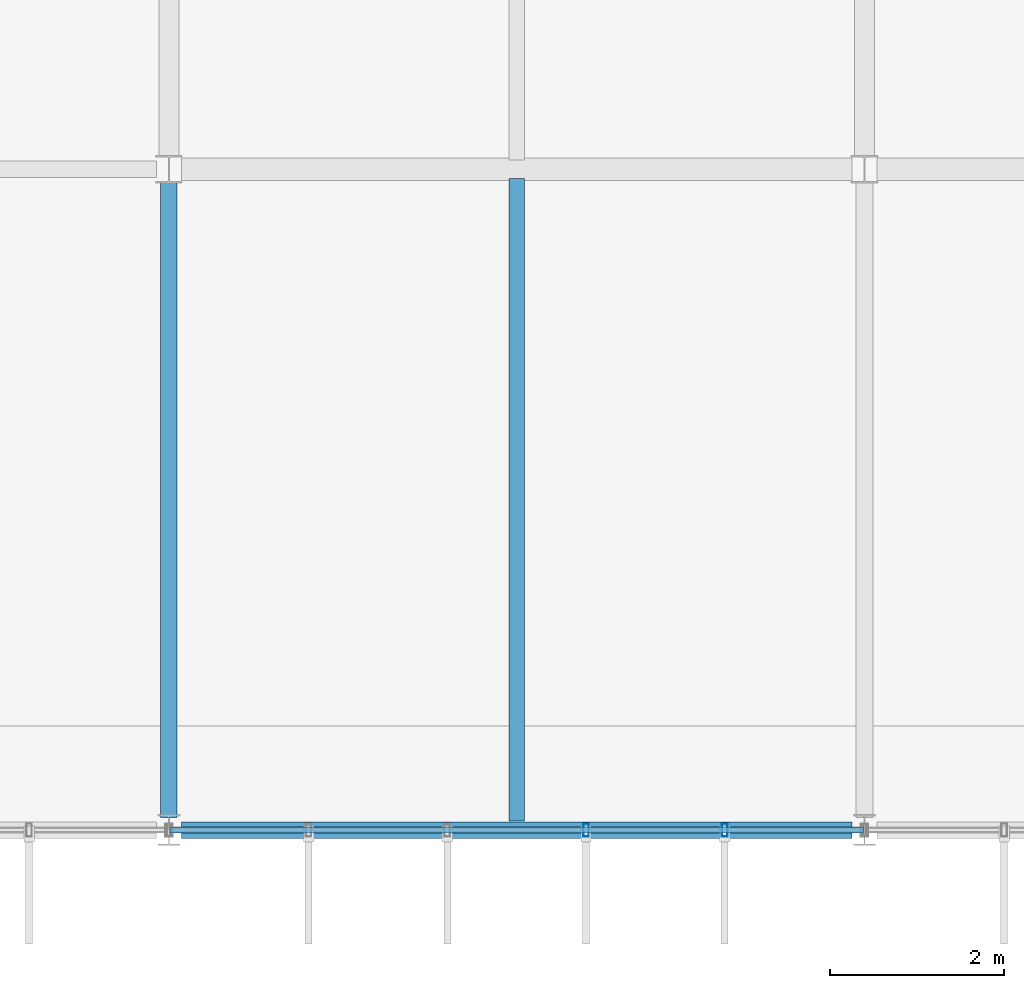
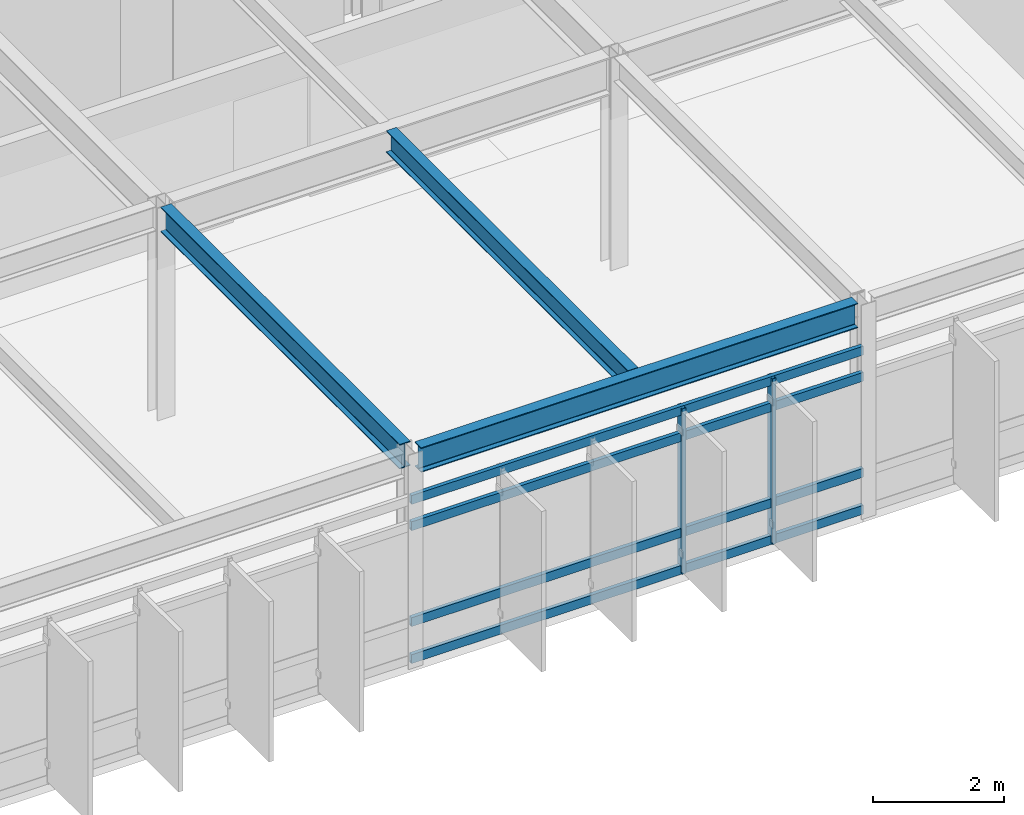
# One storey, part 4 of 17: 6 members, 3 beams, 1 element without a shape of its own.
"""IFC4 building model written with IfcOpenShell, lengths in metres."""

from ifc_helpers import new_model, si_unit, direction, frame, origin, origin_2d, place, context, subcontext, project, spatial, hollow_rectangle, i_section, extrude, material, material_profile, profile_set, type_object, element, aggregate, save


model = new_model("IFC4")

# Units and contexts
model_context = context("Model", 3, precision=1e-05, world=origin(), true_north=direction((0.0, 1.0)))
body_context = subcontext(model_context, "Body", "Model", "MODEL_VIEW")
ifc_project = project(units=[si_unit("LENGTHUNIT", "METRE"), si_unit("AREAUNIT", "SQUARE_METRE"), si_unit("VOLUMEUNIT", "CUBIC_METRE"), si_unit("PLANEANGLEUNIT", "RADIAN"), si_unit("MASSUNIT", "GRAM", prefix="KILO")], contexts=[model_context])

# Site, building, storey
site_placement = place(None, origin())
site = spatial("IfcSite", under=ifc_project, at=site_placement, CompositionType="ELEMENT")
building_placement = place(site_placement, origin())
building = spatial("IfcBuilding", under=site, at=building_placement, Name="Zulena Civic Courthouse", CompositionType="ELEMENT")
storey_placement = place(building_placement, frame((0.0, 0.0, 42.0)))
storey = spatial("IfcBuildingStorey", under=building, at=storey_placement, Name="L09", CompositionType="ELEMENT", Elevation=42.0)

# Curtain wall, members
ifc_material_1 = material(Name="Double-silver low-E laminated solar-control glass", Category="glass")
curtain_wall_type = type_object("IfcCurtainWallType", Name="CW_7976x3090", PredefinedType="USERDEFINED", material=ifc_material_1)
curtain_wall_placement = place(storey_placement, origin())
curtain_wall = element("IfcCurtainWall", 1, at=curtain_wall_placement, inside=storey, type_object=curtain_wall_type, Name="cw:V2:L09:3:4", ObjectType="UNITISED CURTAIN WALL", PredefinedType="USERDEFINED")
ifc_material_2 = material(Name="Bronze anodised thermally broken aluminium AA6063-T6", Category="aluminium")
ifc_material_profile_1 = material_profile(ifc_material_2, hollow_rectangle(XDim=0.06494140625, YDim=0.14990234375, WallThickness=0.00390625, at=origin_2d()), Name="CWM150X65X4")
ifc_profile_set_1 = profile_set([ifc_material_profile_1], Name="Bronze anodised thermally broken aluminium AA6063-T6")
member_type_1 = type_object("IfcMemberType", Name="CWMullion_150x65", PredefinedType="MULLION", material=ifc_profile_set_1)
member_1_placement = place(storey_placement, frame((34.392822265625, 0.0, 0.0), z_axis=(0.0, 0.0, 1.0), x_axis=(1.0, 0.0, 0.0)))
member_1 = element("IfcMember", 2, at=member_1_placement, type_object=member_type_1, Name="cw:V2:L09:3:4:mull:1", PredefinedType="MULLION", context=body_context, shape_type="SweptSolid", body=[
    extrude(hollow_rectangle(XDim=0.06494140625, YDim=0.14990234375, WallThickness=0.00390625, at=origin_2d()), origin(), (0.0, 0.0, 1.0), 3.090087890625),
])
member_2_placement = place(storey_placement, frame((32.797607421875, 0.0, 0.0), z_axis=(0.0, 0.0, 1.0), x_axis=(1.0, 0.0, 0.0)))
member_2 = element("IfcMember", 3, at=member_2_placement, type_object=member_type_1, Name="cw:V2:L09:3:4:mull:2", PredefinedType="MULLION", context=body_context, shape_type="SweptSolid", body=[
    extrude(hollow_rectangle(XDim=0.06494140625, YDim=0.14990234375, WallThickness=0.00390625, at=origin_2d()), origin(), (0.0, 0.0, 1.0), 3.090087890625),
])
ifc_material_profile_2 = material_profile(ifc_material_2, hollow_rectangle(XDim=0.070068359375, YDim=0.1650390625, WallThickness=0.00390625, at=origin_2d()), Name="CWT165X70X4")
ifc_profile_set_2 = profile_set([ifc_material_profile_2], Name="Bronze anodised thermally broken aluminium AA6063-T6")
member_type_2 = type_object("IfcMemberType", Name="CWTransom_165x70", PredefinedType="USERDEFINED", material=ifc_profile_set_2)
member_3_placement = place(storey_placement, frame((35.988037109375, 0.0, 0.06005859375), z_axis=(-1.0, 0.0, 0.0), x_axis=(0.0, -1.0, 0.0)))
member_3 = element("IfcMember", 4, at=member_3_placement, type_object=member_type_2, Name="cw:V2:L09:3:4:tran:0", ObjectType="TRANSOM", PredefinedType="USERDEFINED", context=body_context, shape_type="SweptSolid", body=[
    extrude(hollow_rectangle(XDim=0.070068359375, YDim=0.1650390625, WallThickness=0.00390625, at=origin_2d()), origin(), (0.0, 0.0, 1.0), 7.97607421875),
])
member_4_placement = place(storey_placement, frame((35.988037109375, 0.0, 0.75), z_axis=(-1.0, 0.0, 0.0), x_axis=(0.0, -1.0, 0.0)))
member_4 = element("IfcMember", 5, at=member_4_placement, type_object=member_type_2, Name="cw:V2:L09:3:4:tran:1", ObjectType="TRANSOM", PredefinedType="USERDEFINED", context=body_context, shape_type="SweptSolid", body=[
    extrude(hollow_rectangle(XDim=0.070068359375, YDim=0.1650390625, WallThickness=0.00390625, at=origin_2d()), origin(), (0.0, 0.0, 1.0), 7.97607421875),
])
member_5_placement = place(storey_placement, frame((35.988037109375, 0.0, 2.5400390625), z_axis=(-1.0, 0.0, 0.0), x_axis=(0.0, -1.0, 0.0)))
member_5 = element("IfcMember", 6, at=member_5_placement, type_object=member_type_2, Name="cw:V2:L09:3:4:tran:2", ObjectType="TRANSOM", PredefinedType="USERDEFINED", context=body_context, shape_type="SweptSolid", body=[
    extrude(hollow_rectangle(XDim=0.070068359375, YDim=0.1650390625, WallThickness=0.00390625, at=origin_2d()), origin(), (0.0, 0.0, 1.0), 7.97607421875),
])
member_6_placement = place(storey_placement, frame((35.988037109375, 0.0, 3.030029296875), z_axis=(-1.0, 0.0, 0.0), x_axis=(0.0, -1.0, 0.0)))
member_6 = element("IfcMember", 7, at=member_6_placement, type_object=member_type_2, Name="cw:V2:L09:3:4:tran:3", ObjectType="TRANSOM", PredefinedType="USERDEFINED", context=body_context, shape_type="SweptSolid", body=[
    extrude(hollow_rectangle(XDim=0.070068359375, YDim=0.1650390625, WallThickness=0.00390625, at=origin_2d()), origin(), (0.0, 0.0, 1.0), 7.97607421875),
])
aggregate(curtain_wall, [member_1, member_2, member_3, member_4, member_5, member_6])

# Beams
ifc_material_3 = material(Name="Steel ASTM A992 Grade 50", Category="steel")
ifc_material_profile_3 = material_profile(ifc_material_3, i_section(OverallWidth=0.177978515625, OverallDepth=0.406005859375, WebThickness=0.0078125, FlangeThickness=0.0126953125, FilletRadius=0.01025390625, at=origin_2d()), Name="W16X40")
ifc_profile_set_3 = profile_set([ifc_material_profile_3], Name="Steel ASTM A992 Grade 50")
beam_type_1 = type_object("IfcBeamType", Name="Joist_W16X40", PredefinedType="JOIST", material=ifc_profile_set_3)
beam_1_placement = place(storey_placement, frame((32.0, 0.10498046875, 3.7919921875), z_axis=(0.0, 1.0, 0.0), x_axis=(-1.0, 0.0, 0.0)))
element("IfcBeam", 8, at=beam_1_placement, inside=storey, type_object=beam_type_1, Name="joist:V2:L09:32.00:0.0_7.6", PredefinedType="JOIST", context=body_context, shape_type="SweptSolid", body=[
    extrude(i_section(OverallWidth=0.177978515625, OverallDepth=0.406005859375, WebThickness=0.0078125, FlangeThickness=0.0126953125, FilletRadius=0.01025390625, at=origin_2d()), origin(), (0.0, 0.0, 1.0), 7.39013671875),
])
ifc_material_profile_4 = material_profile(ifc_material_3, i_section(OverallWidth=0.19091796875, OverallDepth=0.4599609375, WebThickness=0.010009765625, FlangeThickness=0.01611328125, FilletRadius=0.01025390625, at=origin_2d()), Name="W18X55")
ifc_profile_set_4 = profile_set([ifc_material_profile_4], Name="Steel ASTM A992 Grade 50")
beam_type_2 = type_object("IfcBeamType", Name="Spandrel_W18X55", PredefinedType="SPANDREL", material=ifc_profile_set_4)
beam_2_placement = place(storey_placement, frame((28.14501953125, 0.0, 3.764892578125), z_axis=(1.0, 0.0, 0.0), x_axis=(0.0, 1.0, 0.0)))
element("IfcBeam", 9, at=beam_2_placement, inside=storey, type_object=beam_type_2, Name="beam:X:V2:L09:0.0:28.0_36.0", PredefinedType="SPANDREL", context=body_context, shape_type="SweptSolid", body=[
    extrude(i_section(OverallWidth=0.19091796875, OverallDepth=0.4599609375, WebThickness=0.010009765625, FlangeThickness=0.01611328125, FilletRadius=0.01025390625, at=origin_2d()), origin(), (0.0, 0.0, 1.0), 7.7099609375),
])
beam_3_placement = place(storey_placement, frame((28.0, 0.14501953125, 3.764892578125), z_axis=(0.0, 1.0, 0.0), x_axis=(-1.0, 0.0, 0.0)))
element("IfcBeam", 10, at=beam_3_placement, inside=storey, type_object=beam_type_2, Name="beam:Y:V2:L09:28.0:0.0_7.6", PredefinedType="SPANDREL", context=body_context, shape_type="SweptSolid", body=[
    extrude(i_section(OverallWidth=0.19091796875, OverallDepth=0.4599609375, WebThickness=0.010009765625, FlangeThickness=0.01611328125, FilletRadius=0.01025390625, at=origin_2d()), origin(), (0.0, 0.0, 1.0), 7.31005859375),
])

save(model, "model.ifc")
